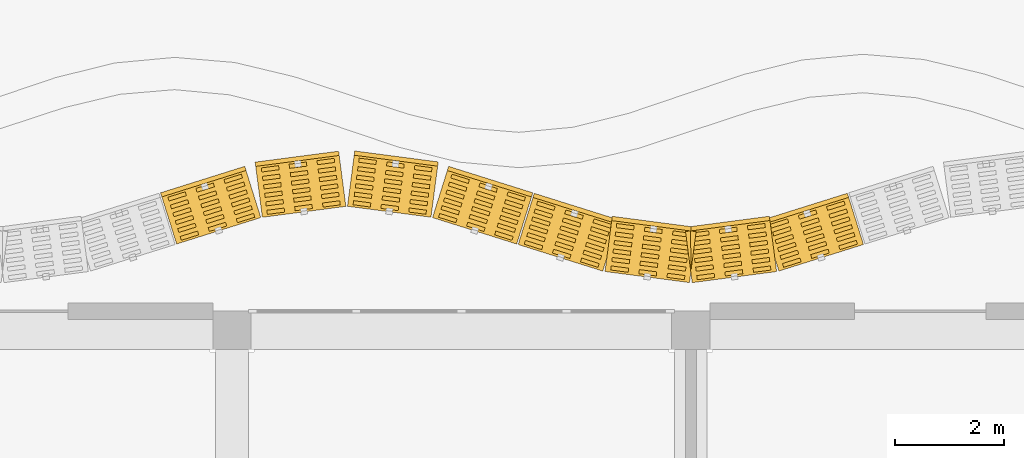
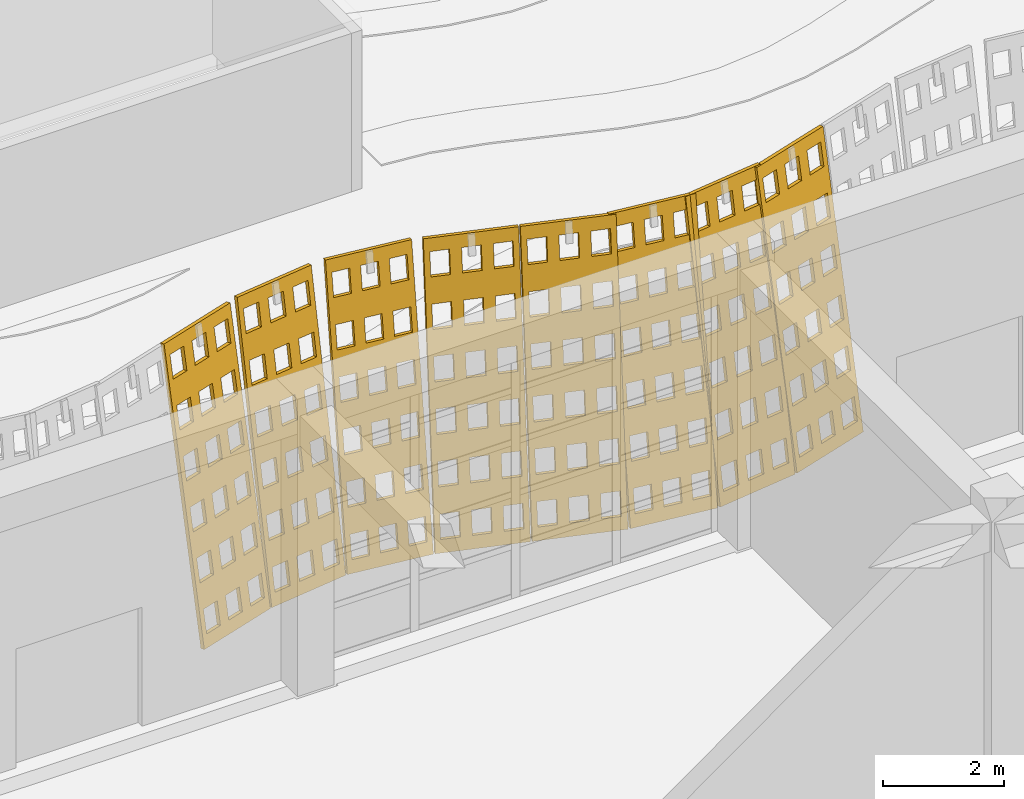
# One storey, part 160 of 210: 8 coverings.
"""IFC4 building model written with IfcOpenShell, lengths in metres."""

from ifc_helpers import new_model, si_unit, direction, frame, origin, place, context, subcontext, project, spatial, polyline, outline, extrude, material, layer, layer_set, type_object, element, save


model = new_model("IFC4")

# Units and contexts
model_context = context("Model", 3, precision=1e-05, world=origin(), true_north=direction((0.0, 1.0)))
body_context = subcontext(model_context, "Body", "Model", "MODEL_VIEW")
ifc_project = project(units=[si_unit("LENGTHUNIT", "METRE"), si_unit("AREAUNIT", "SQUARE_METRE"), si_unit("VOLUMEUNIT", "CUBIC_METRE"), si_unit("PLANEANGLEUNIT", "RADIAN"), si_unit("MASSUNIT", "GRAM", prefix="KILO")], contexts=[model_context])

# Site, building, storey
site_placement = place(None, origin())
site = spatial("IfcSite", under=ifc_project, at=site_placement, CompositionType="ELEMENT")
building_placement = place(site_placement, origin())
building = spatial("IfcBuilding", under=site, at=building_placement, Name="Rain Tree Exposition and Congress Centre", CompositionType="ELEMENT")
storey_placement = place(building_placement, origin())
storey = spatial("IfcBuildingStorey", under=building, at=storey_placement, Name="L00", CompositionType="ELEMENT", Elevation=0.0)

# Coverings
ifc_material = material(Name="Perforated terracotta", Category="masonry")
ifc_layer = layer(ifc_material, 0.080078125)
ifc_layer_set = layer_set([ifc_layer], Name="Perforated terracotta")
covering_type = type_object("IfcCoveringType", Name="Terracotta screen 80", PredefinedType="CLADDING", material=ifc_layer_set)
covering_1_placement = place(storey_placement, frame((28.35009765625, 52.050048828125, 0.0), z_axis=(0.295859611525, -0.942480618158, 0.155555053482), x_axis=(0.954094597562, 0.29950542383, 0.0)))
element("IfcCovering", 1, at=covering_1_placement, inside=storey, type_object=covering_type, Name="wing/screen/L00/083", PredefinedType="CLADDING", context=body_context, shape_type="SweptSolid", body=[
    extrude(outline(polyline([(-0.014892578125, 5.808349609375), (-0.014892578125, 0.0), (-1.635986328125, 0.0), (-1.635986328125, 5.808349609375), (-0.014892578125, 5.808349609375)]), holes=[polyline([(-0.11767578125, 0.249755859375), (-0.11767578125, 0.71826171875), (-0.45263671875, 0.71826171875), (-0.45263671875, 0.249755859375), (-0.11767578125, 0.249755859375)]), polyline([(-0.11767578125, 1.218017578125), (-0.11767578125, 1.686279296875), (-0.45263671875, 1.686279296875), (-0.45263671875, 1.218017578125), (-0.11767578125, 1.218017578125)]), polyline([(-0.11767578125, 2.18603515625), (-0.11767578125, 2.654296875), (-0.45263671875, 2.654296875), (-0.45263671875, 2.18603515625), (-0.11767578125, 2.18603515625)]), polyline([(-0.11767578125, 3.154052734375), (-0.11767578125, 3.62255859375), (-0.45263671875, 3.62255859375), (-0.45263671875, 3.154052734375), (-0.11767578125, 3.154052734375)]), polyline([(-0.11767578125, 4.1220703125), (-0.11767578125, 4.590576171875), (-0.45263671875, 4.590576171875), (-0.45263671875, 4.1220703125), (-0.11767578125, 4.1220703125)]), polyline([(-0.11767578125, 5.090087890625), (-0.11767578125, 5.55859375), (-0.45263671875, 5.55859375), (-0.45263671875, 5.090087890625), (-0.11767578125, 5.090087890625)]), polyline([(-0.657958984375, 0.249755859375), (-0.657958984375, 0.71826171875), (-0.992919921875, 0.71826171875), (-0.992919921875, 0.249755859375), (-0.657958984375, 0.249755859375)]), polyline([(-0.657958984375, 1.218017578125), (-0.657958984375, 1.686279296875), (-0.992919921875, 1.686279296875), (-0.992919921875, 1.218017578125), (-0.657958984375, 1.218017578125)]), polyline([(-0.657958984375, 2.18603515625), (-0.657958984375, 2.654296875), (-0.992919921875, 2.654296875), (-0.992919921875, 2.18603515625), (-0.657958984375, 2.18603515625)]), polyline([(-0.657958984375, 3.154052734375), (-0.657958984375, 3.62255859375), (-0.992919921875, 3.62255859375), (-0.992919921875, 3.154052734375), (-0.657958984375, 3.154052734375)]), polyline([(-0.657958984375, 4.1220703125), (-0.657958984375, 4.590576171875), (-0.992919921875, 4.590576171875), (-0.992919921875, 4.1220703125), (-0.657958984375, 4.1220703125)]), polyline([(-0.657958984375, 5.090087890625), (-0.657958984375, 5.55859375), (-0.992919921875, 5.55859375), (-0.992919921875, 5.090087890625), (-0.657958984375, 5.090087890625)]), polyline([(-1.1982421875, 0.249755859375), (-1.1982421875, 0.71826171875), (-1.533203125, 0.71826171875), (-1.533203125, 0.249755859375), (-1.1982421875, 0.249755859375)]), polyline([(-1.1982421875, 1.218017578125), (-1.1982421875, 1.686279296875), (-1.533203125, 1.686279296875), (-1.533203125, 1.218017578125), (-1.1982421875, 1.218017578125)]), polyline([(-1.1982421875, 2.18603515625), (-1.1982421875, 2.654296875), (-1.533203125, 2.654296875), (-1.533203125, 2.18603515625), (-1.1982421875, 2.18603515625)]), polyline([(-1.1982421875, 3.154052734375), (-1.1982421875, 3.62255859375), (-1.533203125, 3.62255859375), (-1.533203125, 3.154052734375), (-1.1982421875, 3.154052734375)]), polyline([(-1.1982421875, 4.1220703125), (-1.1982421875, 4.590576171875), (-1.533203125, 4.590576171875), (-1.533203125, 4.1220703125), (-1.1982421875, 4.1220703125)]), polyline([(-1.1982421875, 5.090087890625), (-1.1982421875, 5.55859375), (-1.533203125, 5.55859375), (-1.533203125, 5.090087890625), (-1.1982421875, 5.090087890625)])]), origin(), (0.0, 0.0, 1.0), 0.080078125),
])
covering_2_placement = place(storey_placement, frame((26.77490234375, 51.554931640625, 0.0), z_axis=(0.12841394929, -0.978391994594, 0.162046174105), x_axis=(0.991496427865, 0.130133906157, 0.0)))
element("IfcCovering", 2, at=covering_2_placement, inside=storey, type_object=covering_type, Name="wing/screen/L00/084", PredefinedType="CLADDING", context=body_context, shape_type="SweptSolid", body=[
    extrude(outline(polyline([(-0.014892578125, 5.813720703125), (-0.014892578125, 0.0), (-1.5732421875, 0.0), (-1.5732421875, 5.813720703125), (-0.014892578125, 5.813720703125)]), holes=[polyline([(-0.11376953125, 0.25), (-0.11376953125, 0.718994140625), (-0.435791015625, 0.718994140625), (-0.435791015625, 0.25), (-0.11376953125, 0.25)]), polyline([(-0.11376953125, 1.218994140625), (-0.11376953125, 1.687744140625), (-0.435791015625, 1.687744140625), (-0.435791015625, 1.218994140625), (-0.11376953125, 1.218994140625)]), polyline([(-0.11376953125, 2.18798828125), (-0.11376953125, 2.65673828125), (-0.435791015625, 2.65673828125), (-0.435791015625, 2.18798828125), (-0.11376953125, 2.18798828125)]), polyline([(-0.11376953125, 3.15673828125), (-0.11376953125, 3.625732421875), (-0.435791015625, 3.625732421875), (-0.435791015625, 3.15673828125), (-0.11376953125, 3.15673828125)]), polyline([(-0.11376953125, 4.125732421875), (-0.11376953125, 4.594482421875), (-0.435791015625, 4.594482421875), (-0.435791015625, 4.125732421875), (-0.11376953125, 4.125732421875)]), polyline([(-0.11376953125, 5.0947265625), (-0.11376953125, 5.5634765625), (-0.435791015625, 5.5634765625), (-0.435791015625, 5.0947265625), (-0.11376953125, 5.0947265625)]), polyline([(-0.633056640625, 0.25), (-0.633056640625, 0.718994140625), (-0.955078125, 0.718994140625), (-0.955078125, 0.25), (-0.633056640625, 0.25)]), polyline([(-0.633056640625, 1.218994140625), (-0.633056640625, 1.687744140625), (-0.955078125, 1.687744140625), (-0.955078125, 1.218994140625), (-0.633056640625, 1.218994140625)]), polyline([(-0.633056640625, 2.18798828125), (-0.633056640625, 2.65673828125), (-0.955078125, 2.65673828125), (-0.955078125, 2.18798828125), (-0.633056640625, 2.18798828125)]), polyline([(-0.633056640625, 3.15673828125), (-0.633056640625, 3.625732421875), (-0.955078125, 3.625732421875), (-0.955078125, 3.15673828125), (-0.633056640625, 3.15673828125)]), polyline([(-0.633056640625, 4.125732421875), (-0.633056640625, 4.594482421875), (-0.955078125, 4.594482421875), (-0.955078125, 4.125732421875), (-0.633056640625, 4.125732421875)]), polyline([(-0.633056640625, 5.0947265625), (-0.633056640625, 5.5634765625), (-0.955078125, 5.5634765625), (-0.955078125, 5.0947265625), (-0.633056640625, 5.0947265625)]), polyline([(-1.152587890625, 0.25), (-1.152587890625, 0.718994140625), (-1.474609375, 0.718994140625), (-1.474609375, 0.25), (-1.152587890625, 0.25)]), polyline([(-1.152587890625, 1.218994140625), (-1.152587890625, 1.687744140625), (-1.474609375, 1.687744140625), (-1.474609375, 1.218994140625), (-1.152587890625, 1.218994140625)]), polyline([(-1.152587890625, 2.18798828125), (-1.152587890625, 2.65673828125), (-1.474609375, 2.65673828125), (-1.474609375, 2.18798828125), (-1.152587890625, 2.18798828125)]), polyline([(-1.152587890625, 3.15673828125), (-1.152587890625, 3.625732421875), (-1.474609375, 3.625732421875), (-1.474609375, 3.15673828125), (-1.152587890625, 3.15673828125)]), polyline([(-1.152587890625, 4.125732421875), (-1.152587890625, 4.594482421875), (-1.474609375, 4.594482421875), (-1.474609375, 4.125732421875), (-1.152587890625, 4.125732421875)]), polyline([(-1.152587890625, 5.0947265625), (-1.152587890625, 5.5634765625), (-1.474609375, 5.5634765625), (-1.474609375, 5.0947265625), (-1.152587890625, 5.0947265625)])]), origin(), (0.0, 0.0, 1.0), 0.079833984375),
])
covering_3_placement = place(storey_placement, frame((25.199951171875, 51.35009765625, 0.0), z_axis=(-0.1280309309, -0.978522114732, 0.161562841373), x_axis=(0.991548658387, -0.129735338481, 0.0)))
element("IfcCovering", 3, at=covering_3_placement, inside=storey, type_object=covering_type, Name="wing/screen/L00/085", PredefinedType="CLADDING", context=body_context, shape_type="SweptSolid", body=[
    extrude(outline(polyline([(-0.014892578125, 5.813720703125), (-0.014892578125, 0.0), (-1.5732421875, 0.0), (-1.5732421875, 5.813720703125), (-0.014892578125, 5.813720703125)]), holes=[polyline([(-0.11376953125, 0.25), (-0.11376953125, 0.718994140625), (-0.435791015625, 0.718994140625), (-0.435791015625, 0.25), (-0.11376953125, 0.25)]), polyline([(-0.11376953125, 1.218994140625), (-0.11376953125, 1.687744140625), (-0.435791015625, 1.687744140625), (-0.435791015625, 1.218994140625), (-0.11376953125, 1.218994140625)]), polyline([(-0.11376953125, 2.18798828125), (-0.11376953125, 2.65673828125), (-0.435791015625, 2.65673828125), (-0.435791015625, 2.18798828125), (-0.11376953125, 2.18798828125)]), polyline([(-0.11376953125, 3.15673828125), (-0.11376953125, 3.625732421875), (-0.435791015625, 3.625732421875), (-0.435791015625, 3.15673828125), (-0.11376953125, 3.15673828125)]), polyline([(-0.11376953125, 4.125732421875), (-0.11376953125, 4.594482421875), (-0.435791015625, 4.594482421875), (-0.435791015625, 4.125732421875), (-0.11376953125, 4.125732421875)]), polyline([(-0.11376953125, 5.0947265625), (-0.11376953125, 5.5634765625), (-0.435791015625, 5.5634765625), (-0.435791015625, 5.0947265625), (-0.11376953125, 5.0947265625)]), polyline([(-0.633056640625, 0.25), (-0.633056640625, 0.718994140625), (-0.955078125, 0.718994140625), (-0.955078125, 0.25), (-0.633056640625, 0.25)]), polyline([(-0.633056640625, 1.218994140625), (-0.633056640625, 1.687744140625), (-0.955078125, 1.687744140625), (-0.955078125, 1.218994140625), (-0.633056640625, 1.218994140625)]), polyline([(-0.633056640625, 2.18798828125), (-0.633056640625, 2.65673828125), (-0.955078125, 2.65673828125), (-0.955078125, 2.18798828125), (-0.633056640625, 2.18798828125)]), polyline([(-0.633056640625, 3.15673828125), (-0.633056640625, 3.625732421875), (-0.955078125, 3.625732421875), (-0.955078125, 3.15673828125), (-0.633056640625, 3.15673828125)]), polyline([(-0.633056640625, 4.125732421875), (-0.633056640625, 4.594482421875), (-0.955078125, 4.594482421875), (-0.955078125, 4.125732421875), (-0.633056640625, 4.125732421875)]), polyline([(-0.633056640625, 5.0947265625), (-0.633056640625, 5.5634765625), (-0.955078125, 5.5634765625), (-0.955078125, 5.0947265625), (-0.633056640625, 5.0947265625)]), polyline([(-1.152587890625, 0.25), (-1.152587890625, 0.718994140625), (-1.474609375, 0.718994140625), (-1.474609375, 0.25), (-1.152587890625, 0.25)]), polyline([(-1.152587890625, 1.218994140625), (-1.152587890625, 1.687744140625), (-1.474609375, 1.687744140625), (-1.474609375, 1.218994140625), (-1.152587890625, 1.218994140625)]), polyline([(-1.152587890625, 2.18798828125), (-1.152587890625, 2.65673828125), (-1.474609375, 2.65673828125), (-1.474609375, 2.18798828125), (-1.152587890625, 2.18798828125)]), polyline([(-1.152587890625, 3.15673828125), (-1.152587890625, 3.625732421875), (-1.474609375, 3.625732421875), (-1.474609375, 3.15673828125), (-1.152587890625, 3.15673828125)]), polyline([(-1.152587890625, 4.125732421875), (-1.152587890625, 4.594482421875), (-1.474609375, 4.594482421875), (-1.474609375, 4.125732421875), (-1.152587890625, 4.125732421875)]), polyline([(-1.152587890625, 5.0947265625), (-1.152587890625, 5.5634765625), (-1.474609375, 5.5634765625), (-1.474609375, 5.0947265625), (-1.152587890625, 5.0947265625)])]), origin(), (0.0, 0.0, 1.0), 0.080078125),
])
covering_4_placement = place(storey_placement, frame((23.625, 51.554931640625, 0.0), z_axis=(-0.295859611525, -0.942480618158, 0.155555053482), x_axis=(0.954094597562, -0.29950542383, 0.0)))
element("IfcCovering", 4, at=covering_4_placement, inside=storey, type_object=covering_type, Name="wing/screen/L00/086", PredefinedType="CLADDING", context=body_context, shape_type="SweptSolid", body=[
    extrude(outline(polyline([(-0.014892578125, 5.808349609375), (-0.014892578125, 0.0), (-1.635986328125, 0.0), (-1.635986328125, 5.808349609375), (-0.014892578125, 5.808349609375)]), holes=[polyline([(-0.11767578125, 0.249755859375), (-0.11767578125, 0.71826171875), (-0.45263671875, 0.71826171875), (-0.45263671875, 0.249755859375), (-0.11767578125, 0.249755859375)]), polyline([(-0.11767578125, 1.218017578125), (-0.11767578125, 1.686279296875), (-0.45263671875, 1.686279296875), (-0.45263671875, 1.218017578125), (-0.11767578125, 1.218017578125)]), polyline([(-0.11767578125, 2.18603515625), (-0.11767578125, 2.654296875), (-0.45263671875, 2.654296875), (-0.45263671875, 2.18603515625), (-0.11767578125, 2.18603515625)]), polyline([(-0.11767578125, 3.154052734375), (-0.11767578125, 3.62255859375), (-0.45263671875, 3.62255859375), (-0.45263671875, 3.154052734375), (-0.11767578125, 3.154052734375)]), polyline([(-0.11767578125, 4.1220703125), (-0.11767578125, 4.590576171875), (-0.45263671875, 4.590576171875), (-0.45263671875, 4.1220703125), (-0.11767578125, 4.1220703125)]), polyline([(-0.11767578125, 5.090087890625), (-0.11767578125, 5.55859375), (-0.45263671875, 5.55859375), (-0.45263671875, 5.090087890625), (-0.11767578125, 5.090087890625)]), polyline([(-0.657958984375, 0.249755859375), (-0.657958984375, 0.71826171875), (-0.992919921875, 0.71826171875), (-0.992919921875, 0.249755859375), (-0.657958984375, 0.249755859375)]), polyline([(-0.657958984375, 1.218017578125), (-0.657958984375, 1.686279296875), (-0.992919921875, 1.686279296875), (-0.992919921875, 1.218017578125), (-0.657958984375, 1.218017578125)]), polyline([(-0.657958984375, 2.18603515625), (-0.657958984375, 2.654296875), (-0.992919921875, 2.654296875), (-0.992919921875, 2.18603515625), (-0.657958984375, 2.18603515625)]), polyline([(-0.657958984375, 3.154052734375), (-0.657958984375, 3.62255859375), (-0.992919921875, 3.62255859375), (-0.992919921875, 3.154052734375), (-0.657958984375, 3.154052734375)]), polyline([(-0.657958984375, 4.1220703125), (-0.657958984375, 4.590576171875), (-0.992919921875, 4.590576171875), (-0.992919921875, 4.1220703125), (-0.657958984375, 4.1220703125)]), polyline([(-0.657958984375, 5.090087890625), (-0.657958984375, 5.55859375), (-0.992919921875, 5.55859375), (-0.992919921875, 5.090087890625), (-0.657958984375, 5.090087890625)]), polyline([(-1.1982421875, 0.249755859375), (-1.1982421875, 0.71826171875), (-1.533203125, 0.71826171875), (-1.533203125, 0.249755859375), (-1.1982421875, 0.249755859375)]), polyline([(-1.1982421875, 1.218017578125), (-1.1982421875, 1.686279296875), (-1.533203125, 1.686279296875), (-1.533203125, 1.218017578125), (-1.1982421875, 1.218017578125)]), polyline([(-1.1982421875, 2.18603515625), (-1.1982421875, 2.654296875), (-1.533203125, 2.654296875), (-1.533203125, 2.18603515625), (-1.1982421875, 2.18603515625)]), polyline([(-1.1982421875, 3.154052734375), (-1.1982421875, 3.62255859375), (-1.533203125, 3.62255859375), (-1.533203125, 3.154052734375), (-1.1982421875, 3.154052734375)]), polyline([(-1.1982421875, 4.1220703125), (-1.1982421875, 4.590576171875), (-1.533203125, 4.590576171875), (-1.533203125, 4.1220703125), (-1.1982421875, 4.1220703125)]), polyline([(-1.1982421875, 5.090087890625), (-1.1982421875, 5.55859375), (-1.533203125, 5.55859375), (-1.533203125, 5.090087890625), (-1.1982421875, 5.090087890625)])]), origin(), (0.0, 0.0, 1.0), 0.080078125),
])
covering_5_placement = place(storey_placement, frame((22.050048828125, 52.050048828125, 0.0), z_axis=(-0.295859611525, -0.942480618158, 0.155555053482), x_axis=(0.954094597562, -0.29950542383, 0.0)))
element("IfcCovering", 5, at=covering_5_placement, inside=storey, type_object=covering_type, Name="wing/screen/L00/087", PredefinedType="CLADDING", context=body_context, shape_type="SweptSolid", body=[
    extrude(outline(polyline([(-0.014892578125, 5.808349609375), (-0.014892578125, 0.0), (-1.62890625, 0.0), (-1.62890625, 5.808349609375), (-0.014892578125, 5.808349609375)]), holes=[polyline([(-0.1171875, 0.249755859375), (-0.1171875, 0.71826171875), (-0.45068359375, 0.71826171875), (-0.45068359375, 0.249755859375), (-0.1171875, 0.249755859375)]), polyline([(-0.1171875, 1.218017578125), (-0.1171875, 1.686279296875), (-0.45068359375, 1.686279296875), (-0.45068359375, 1.218017578125), (-0.1171875, 1.218017578125)]), polyline([(-0.1171875, 2.18603515625), (-0.1171875, 2.654296875), (-0.45068359375, 2.654296875), (-0.45068359375, 2.18603515625), (-0.1171875, 2.18603515625)]), polyline([(-0.1171875, 3.154052734375), (-0.1171875, 3.62255859375), (-0.45068359375, 3.62255859375), (-0.45068359375, 3.154052734375), (-0.1171875, 3.154052734375)]), polyline([(-0.1171875, 4.1220703125), (-0.1171875, 4.590576171875), (-0.45068359375, 4.590576171875), (-0.45068359375, 4.1220703125), (-0.1171875, 4.1220703125)]), polyline([(-0.1171875, 5.090087890625), (-0.1171875, 5.55859375), (-0.45068359375, 5.55859375), (-0.45068359375, 5.090087890625), (-0.1171875, 5.090087890625)]), polyline([(-0.6552734375, 0.249755859375), (-0.6552734375, 0.71826171875), (-0.98876953125, 0.71826171875), (-0.98876953125, 0.249755859375), (-0.6552734375, 0.249755859375)]), polyline([(-0.6552734375, 1.218017578125), (-0.6552734375, 1.686279296875), (-0.98876953125, 1.686279296875), (-0.98876953125, 1.218017578125), (-0.6552734375, 1.218017578125)]), polyline([(-0.6552734375, 2.18603515625), (-0.6552734375, 2.654296875), (-0.98876953125, 2.654296875), (-0.98876953125, 2.18603515625), (-0.6552734375, 2.18603515625)]), polyline([(-0.6552734375, 3.154052734375), (-0.6552734375, 3.62255859375), (-0.98876953125, 3.62255859375), (-0.98876953125, 3.154052734375), (-0.6552734375, 3.154052734375)]), polyline([(-0.6552734375, 4.1220703125), (-0.6552734375, 4.590576171875), (-0.98876953125, 4.590576171875), (-0.98876953125, 4.1220703125), (-0.6552734375, 4.1220703125)]), polyline([(-0.6552734375, 5.090087890625), (-0.6552734375, 5.55859375), (-0.98876953125, 5.55859375), (-0.98876953125, 5.090087890625), (-0.6552734375, 5.090087890625)]), polyline([(-1.193115234375, 0.249755859375), (-1.193115234375, 0.71826171875), (-1.526611328125, 0.71826171875), (-1.526611328125, 0.249755859375), (-1.193115234375, 0.249755859375)]), polyline([(-1.193115234375, 1.218017578125), (-1.193115234375, 1.686279296875), (-1.526611328125, 1.686279296875), (-1.526611328125, 1.218017578125), (-1.193115234375, 1.218017578125)]), polyline([(-1.193115234375, 2.18603515625), (-1.193115234375, 2.654296875), (-1.526611328125, 2.654296875), (-1.526611328125, 2.18603515625), (-1.193115234375, 2.18603515625)]), polyline([(-1.193115234375, 3.154052734375), (-1.193115234375, 3.62255859375), (-1.526611328125, 3.62255859375), (-1.526611328125, 3.154052734375), (-1.193115234375, 3.154052734375)]), polyline([(-1.193115234375, 4.1220703125), (-1.193115234375, 4.590576171875), (-1.526611328125, 4.590576171875), (-1.526611328125, 4.1220703125), (-1.193115234375, 4.1220703125)]), polyline([(-1.193115234375, 5.090087890625), (-1.193115234375, 5.55859375), (-1.526611328125, 5.55859375), (-1.526611328125, 5.090087890625), (-1.193115234375, 5.090087890625)])]), origin(), (0.0, 0.0, 1.0), 0.080078125),
])
covering_6_placement = place(storey_placement, frame((20.47509765625, 52.544921875, 0.0), z_axis=(-0.12841394929, -0.978391994594, 0.162046174105), x_axis=(0.991496427865, -0.130133906157, 0.0)))
element("IfcCovering", 6, at=covering_6_placement, inside=storey, type_object=covering_type, Name="wing/screen/L00/088", PredefinedType="CLADDING", context=body_context, shape_type="SweptSolid", body=[
    extrude(outline(polyline([(-0.02197265625, 5.813720703125), (-0.02197265625, 0.0), (-1.56298828125, 0.0), (-1.56298828125, 5.813720703125), (-0.02197265625, 5.813720703125)]), holes=[polyline([(-0.11962890625, 0.25), (-0.11962890625, 0.718994140625), (-0.43798828125, 0.718994140625), (-0.43798828125, 0.25), (-0.11962890625, 0.25)]), polyline([(-0.11962890625, 1.218994140625), (-0.11962890625, 1.687744140625), (-0.43798828125, 1.687744140625), (-0.43798828125, 1.218994140625), (-0.11962890625, 1.218994140625)]), polyline([(-0.11962890625, 2.18798828125), (-0.11962890625, 2.65673828125), (-0.43798828125, 2.65673828125), (-0.43798828125, 2.18798828125), (-0.11962890625, 2.18798828125)]), polyline([(-0.11962890625, 3.15673828125), (-0.11962890625, 3.625732421875), (-0.43798828125, 3.625732421875), (-0.43798828125, 3.15673828125), (-0.11962890625, 3.15673828125)]), polyline([(-0.11962890625, 4.125732421875), (-0.11962890625, 4.594482421875), (-0.43798828125, 4.594482421875), (-0.43798828125, 4.125732421875), (-0.11962890625, 4.125732421875)]), polyline([(-0.11962890625, 5.0947265625), (-0.11962890625, 5.5634765625), (-0.43798828125, 5.5634765625), (-0.43798828125, 5.0947265625), (-0.11962890625, 5.0947265625)]), polyline([(-0.63330078125, 0.25), (-0.63330078125, 0.718994140625), (-0.95166015625, 0.718994140625), (-0.95166015625, 0.25), (-0.63330078125, 0.25)]), polyline([(-0.63330078125, 1.218994140625), (-0.63330078125, 1.687744140625), (-0.95166015625, 1.687744140625), (-0.95166015625, 1.218994140625), (-0.63330078125, 1.218994140625)]), polyline([(-0.63330078125, 2.18798828125), (-0.63330078125, 2.65673828125), (-0.95166015625, 2.65673828125), (-0.95166015625, 2.18798828125), (-0.63330078125, 2.18798828125)]), polyline([(-0.63330078125, 3.15673828125), (-0.63330078125, 3.625732421875), (-0.95166015625, 3.625732421875), (-0.95166015625, 3.15673828125), (-0.63330078125, 3.15673828125)]), polyline([(-0.63330078125, 4.125732421875), (-0.63330078125, 4.594482421875), (-0.95166015625, 4.594482421875), (-0.95166015625, 4.125732421875), (-0.63330078125, 4.125732421875)]), polyline([(-0.63330078125, 5.0947265625), (-0.63330078125, 5.5634765625), (-0.95166015625, 5.5634765625), (-0.95166015625, 5.0947265625), (-0.63330078125, 5.0947265625)]), polyline([(-1.146728515625, 0.25), (-1.146728515625, 0.718994140625), (-1.46533203125, 0.718994140625), (-1.46533203125, 0.25), (-1.146728515625, 0.25)]), polyline([(-1.146728515625, 1.218994140625), (-1.146728515625, 1.687744140625), (-1.46533203125, 1.687744140625), (-1.46533203125, 1.218994140625), (-1.146728515625, 1.218994140625)]), polyline([(-1.146728515625, 2.18798828125), (-1.146728515625, 2.65673828125), (-1.46533203125, 2.65673828125), (-1.46533203125, 2.18798828125), (-1.146728515625, 2.18798828125)]), polyline([(-1.146728515625, 3.15673828125), (-1.146728515625, 3.625732421875), (-1.46533203125, 3.625732421875), (-1.46533203125, 3.15673828125), (-1.146728515625, 3.15673828125)]), polyline([(-1.146728515625, 4.125732421875), (-1.146728515625, 4.594482421875), (-1.46533203125, 4.594482421875), (-1.46533203125, 4.125732421875), (-1.146728515625, 4.125732421875)]), polyline([(-1.146728515625, 5.0947265625), (-1.146728515625, 5.5634765625), (-1.46533203125, 5.5634765625), (-1.46533203125, 5.0947265625), (-1.146728515625, 5.0947265625)])]), origin(), (0.0, 0.0, 1.0), 0.079833984375),
])
covering_7_placement = place(storey_placement, frame((18.89990234375, 52.75, 0.0), z_axis=(0.1280309309, -0.978522114732, 0.161562841373), x_axis=(0.991548658387, 0.129735338481, 0.0)))
element("IfcCovering", 7, at=covering_7_placement, inside=storey, type_object=covering_type, Name="wing/screen/L00/089", PredefinedType="CLADDING", context=body_context, shape_type="SweptSolid", body=[
    extrude(outline(polyline([(-0.025390625, 5.813720703125), (-0.025390625, 0.0), (-1.56640625, 0.0), (-1.56640625, 5.813720703125), (-0.025390625, 5.813720703125)]), holes=[polyline([(-0.123046875, 0.25), (-0.123046875, 0.718994140625), (-0.44140625, 0.718994140625), (-0.44140625, 0.25), (-0.123046875, 0.25)]), polyline([(-0.123046875, 1.218994140625), (-0.123046875, 1.687744140625), (-0.44140625, 1.687744140625), (-0.44140625, 1.218994140625), (-0.123046875, 1.218994140625)]), polyline([(-0.123046875, 2.18798828125), (-0.123046875, 2.65673828125), (-0.44140625, 2.65673828125), (-0.44140625, 2.18798828125), (-0.123046875, 2.18798828125)]), polyline([(-0.123046875, 3.15673828125), (-0.123046875, 3.625732421875), (-0.44140625, 3.625732421875), (-0.44140625, 3.15673828125), (-0.123046875, 3.15673828125)]), polyline([(-0.123046875, 4.125732421875), (-0.123046875, 4.594482421875), (-0.44140625, 4.594482421875), (-0.44140625, 4.125732421875), (-0.123046875, 4.125732421875)]), polyline([(-0.123046875, 5.0947265625), (-0.123046875, 5.5634765625), (-0.44140625, 5.5634765625), (-0.44140625, 5.0947265625), (-0.123046875, 5.0947265625)]), polyline([(-0.63671875, 0.25), (-0.63671875, 0.718994140625), (-0.955078125, 0.718994140625), (-0.955078125, 0.25), (-0.63671875, 0.25)]), polyline([(-0.63671875, 1.218994140625), (-0.63671875, 1.687744140625), (-0.955078125, 1.687744140625), (-0.955078125, 1.218994140625), (-0.63671875, 1.218994140625)]), polyline([(-0.63671875, 2.18798828125), (-0.63671875, 2.65673828125), (-0.955078125, 2.65673828125), (-0.955078125, 2.18798828125), (-0.63671875, 2.18798828125)]), polyline([(-0.63671875, 3.15673828125), (-0.63671875, 3.625732421875), (-0.955078125, 3.625732421875), (-0.955078125, 3.15673828125), (-0.63671875, 3.15673828125)]), polyline([(-0.63671875, 4.125732421875), (-0.63671875, 4.594482421875), (-0.955078125, 4.594482421875), (-0.955078125, 4.125732421875), (-0.63671875, 4.125732421875)]), polyline([(-0.63671875, 5.0947265625), (-0.63671875, 5.5634765625), (-0.955078125, 5.5634765625), (-0.955078125, 5.0947265625), (-0.63671875, 5.0947265625)]), polyline([(-1.150146484375, 0.25), (-1.150146484375, 0.718994140625), (-1.46875, 0.718994140625), (-1.46875, 0.25), (-1.150146484375, 0.25)]), polyline([(-1.150146484375, 1.218994140625), (-1.150146484375, 1.687744140625), (-1.46875, 1.687744140625), (-1.46875, 1.218994140625), (-1.150146484375, 1.218994140625)]), polyline([(-1.150146484375, 2.18798828125), (-1.150146484375, 2.65673828125), (-1.46875, 2.65673828125), (-1.46875, 2.18798828125), (-1.150146484375, 2.18798828125)]), polyline([(-1.150146484375, 3.15673828125), (-1.150146484375, 3.625732421875), (-1.46875, 3.625732421875), (-1.46875, 3.15673828125), (-1.150146484375, 3.15673828125)]), polyline([(-1.150146484375, 4.125732421875), (-1.150146484375, 4.594482421875), (-1.46875, 4.594482421875), (-1.46875, 4.125732421875), (-1.150146484375, 4.125732421875)]), polyline([(-1.150146484375, 5.0947265625), (-1.150146484375, 5.5634765625), (-1.46875, 5.5634765625), (-1.46875, 5.0947265625), (-1.150146484375, 5.0947265625)])]), origin(), (0.0, 0.0, 1.0), 0.080078125),
])
covering_8_placement = place(storey_placement, frame((17.324951171875, 52.544921875, 0.0), z_axis=(0.295859611525, -0.942480618158, 0.155555053482), x_axis=(0.954094597562, 0.29950542383, 0.0)))
element("IfcCovering", 8, at=covering_8_placement, inside=storey, type_object=covering_type, Name="wing/screen/L00/090", PredefinedType="CLADDING", context=body_context, shape_type="SweptSolid", body=[
    extrude(outline(polyline([(-0.02197265625, 5.808349609375), (-0.02197265625, 0.0), (-1.635986328125, 0.0), (-1.635986328125, 5.808349609375), (-0.02197265625, 5.808349609375)]), holes=[polyline([(-0.124267578125, 0.249755859375), (-0.124267578125, 0.71826171875), (-0.457763671875, 0.71826171875), (-0.457763671875, 0.249755859375), (-0.124267578125, 0.249755859375)]), polyline([(-0.124267578125, 1.218017578125), (-0.124267578125, 1.686279296875), (-0.457763671875, 1.686279296875), (-0.457763671875, 1.218017578125), (-0.124267578125, 1.218017578125)]), polyline([(-0.124267578125, 2.18603515625), (-0.124267578125, 2.654296875), (-0.457763671875, 2.654296875), (-0.457763671875, 2.18603515625), (-0.124267578125, 2.18603515625)]), polyline([(-0.124267578125, 3.154052734375), (-0.124267578125, 3.62255859375), (-0.457763671875, 3.62255859375), (-0.457763671875, 3.154052734375), (-0.124267578125, 3.154052734375)]), polyline([(-0.124267578125, 4.1220703125), (-0.124267578125, 4.590576171875), (-0.457763671875, 4.590576171875), (-0.457763671875, 4.1220703125), (-0.124267578125, 4.1220703125)]), polyline([(-0.124267578125, 5.090087890625), (-0.124267578125, 5.55859375), (-0.457763671875, 5.55859375), (-0.457763671875, 5.090087890625), (-0.124267578125, 5.090087890625)]), polyline([(-0.662109375, 0.249755859375), (-0.662109375, 0.71826171875), (-0.995849609375, 0.71826171875), (-0.995849609375, 0.249755859375), (-0.662109375, 0.249755859375)]), polyline([(-0.662109375, 1.218017578125), (-0.662109375, 1.686279296875), (-0.995849609375, 1.686279296875), (-0.995849609375, 1.218017578125), (-0.662109375, 1.218017578125)]), polyline([(-0.662109375, 2.18603515625), (-0.662109375, 2.654296875), (-0.995849609375, 2.654296875), (-0.995849609375, 2.18603515625), (-0.662109375, 2.18603515625)]), polyline([(-0.662109375, 3.154052734375), (-0.662109375, 3.62255859375), (-0.995849609375, 3.62255859375), (-0.995849609375, 3.154052734375), (-0.662109375, 3.154052734375)]), polyline([(-0.662109375, 4.1220703125), (-0.662109375, 4.590576171875), (-0.995849609375, 4.590576171875), (-0.995849609375, 4.1220703125), (-0.662109375, 4.1220703125)]), polyline([(-0.662109375, 5.090087890625), (-0.662109375, 5.55859375), (-0.995849609375, 5.55859375), (-0.995849609375, 5.090087890625), (-0.662109375, 5.090087890625)]), polyline([(-1.2001953125, 0.249755859375), (-1.2001953125, 0.71826171875), (-1.53369140625, 0.71826171875), (-1.53369140625, 0.249755859375), (-1.2001953125, 0.249755859375)]), polyline([(-1.2001953125, 1.218017578125), (-1.2001953125, 1.686279296875), (-1.53369140625, 1.686279296875), (-1.53369140625, 1.218017578125), (-1.2001953125, 1.218017578125)]), polyline([(-1.2001953125, 2.18603515625), (-1.2001953125, 2.654296875), (-1.53369140625, 2.654296875), (-1.53369140625, 2.18603515625), (-1.2001953125, 2.18603515625)]), polyline([(-1.2001953125, 3.154052734375), (-1.2001953125, 3.62255859375), (-1.53369140625, 3.62255859375), (-1.53369140625, 3.154052734375), (-1.2001953125, 3.154052734375)]), polyline([(-1.2001953125, 4.1220703125), (-1.2001953125, 4.590576171875), (-1.53369140625, 4.590576171875), (-1.53369140625, 4.1220703125), (-1.2001953125, 4.1220703125)]), polyline([(-1.2001953125, 5.090087890625), (-1.2001953125, 5.55859375), (-1.53369140625, 5.55859375), (-1.53369140625, 5.090087890625), (-1.2001953125, 5.090087890625)])]), origin(), (0.0, 0.0, 1.0), 0.080078125),
])

save(model, "model.ifc")
